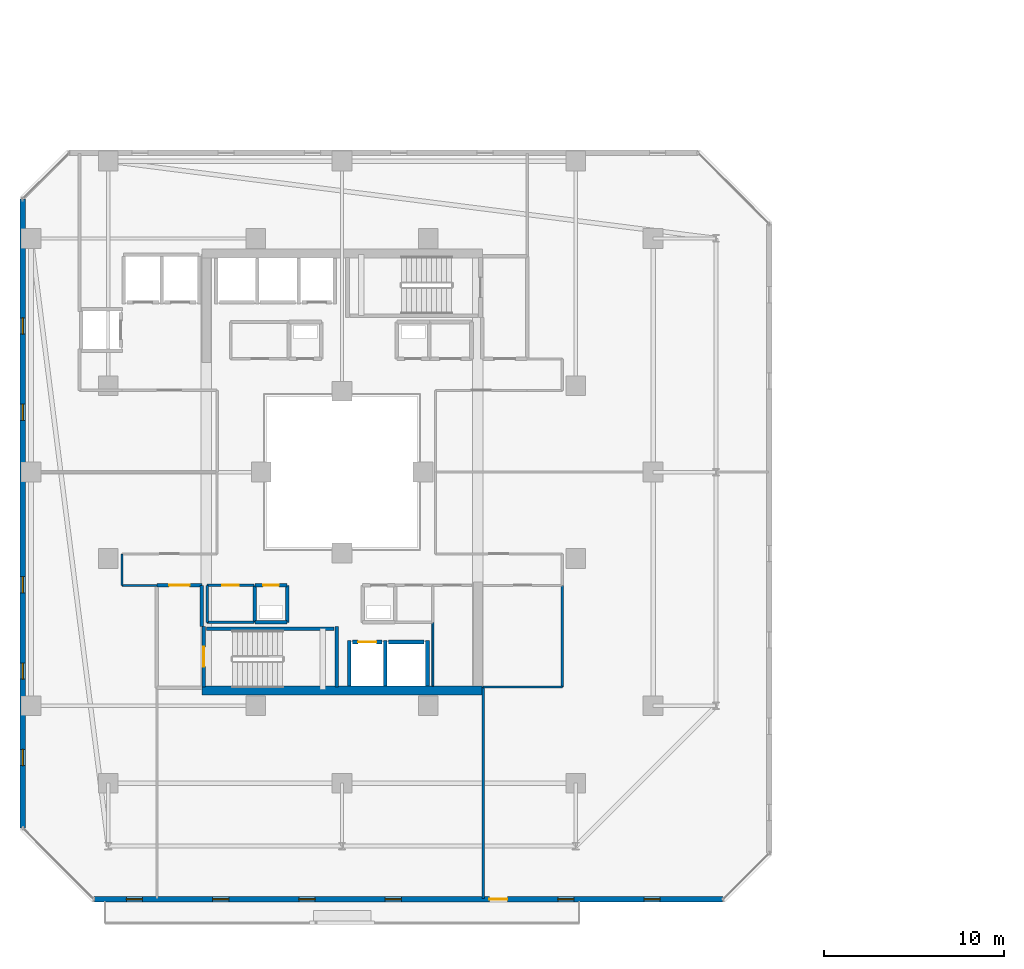
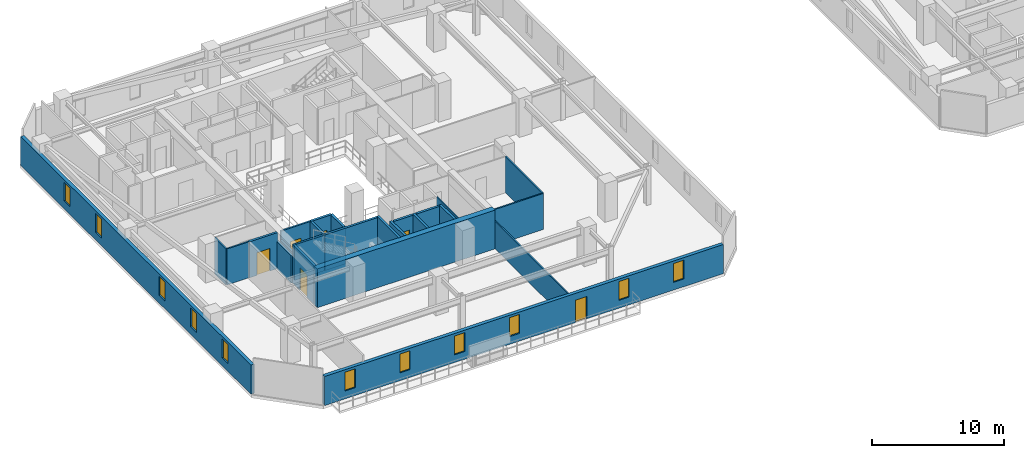
# One storey, part 19 of 32: 26 walls, 11 windows, 6 doors, 17 openings.
"""IFC4 building model written with IfcOpenShell, lengths in metres."""

from ifc_helpers import new_model, si_unit, direction, frame, frame_2d, origin, place, context, subcontext, project, spatial, rectangle, extrude, material, layer, layer_set, type_object, element, fill, save


model = new_model("IFC4")

# Units and contexts
model_context = context("Model", 3, precision=1e-05, world=origin(), true_north=direction((0.0, 1.0)))
body_context = subcontext(model_context, "Body", "Model", "MODEL_VIEW")
ifc_project = project(units=[si_unit("LENGTHUNIT", "METRE"), si_unit("AREAUNIT", "SQUARE_METRE"), si_unit("VOLUMEUNIT", "CUBIC_METRE"), si_unit("PLANEANGLEUNIT", "RADIAN"), si_unit("MASSUNIT", "GRAM", prefix="KILO")], contexts=[model_context])

# Site, building, storey
site_placement = place(None, origin())
site = spatial("IfcSite", under=ifc_project, at=site_placement, CompositionType="ELEMENT")
building_placement = place(site_placement, origin())
building = spatial("IfcBuilding", under=site, at=building_placement, Name="Thornwick Lancets Civic Towers", CompositionType="ELEMENT")
storey_placement = place(building_placement, frame((0.0, 0.0, 152.699951171875)))
storey = spatial("IfcBuildingStorey", under=building, at=storey_placement, Name="L40", CompositionType="ELEMENT", Elevation=152.699951171875)

# Wall, opening, door
ifc_material_1 = material(Name="Concrete blockwork C40/50", Category="masonry")
ifc_layer_1 = layer(ifc_material_1, 0.199951171875, Name="Concrete blockwork C40/50")
ifc_layer_set_1 = layer_set([ifc_layer_1], Name="Concrete blockwork C40/50")
wall_type_1 = type_object("IfcWallType", Name="WALL_COMP_200", PredefinedType="STANDARD", material=ifc_layer_set_1)
wall_1_placement = place(storey_placement, frame((26.080078125, 17.550048828125, 0.0), z_axis=(0.0, 0.0, 1.0), x_axis=(1.0, 0.0, 0.0)))
wall_1 = element("IfcWall", 1, at=wall_1_placement, inside=storey, type_object=wall_type_1, Name="L40 Hoistway Front Wall FL-A1", PredefinedType="STANDARD", context=body_context, shape_type="SweptSolid", body=[
    extrude(rectangle(XDim=1.639892578125, YDim=0.199951171875, at=frame_2d((0.81982421875, 0.0))), origin(), (0.0, 0.0, 1.0), 3.340087890625),
])
opening_1_placement = place(wall_1_placement, frame((0.31005859375, 0.0, 0.0)))
opening_1 = element("IfcOpeningElement", 2, at=opening_1_placement, cuts=wall_1, Name="Opening LD-FL-A1", PredefinedType="OPENING", context=body_context, shape_type="SweptSolid", body=[
    extrude(rectangle(XDim=1.02001953125, YDim=2.06005859375, at=frame_2d((0.510009765625, 1.030029296875))), frame((0.0, 0.10986328125, 0.0), z_axis=(0.0, -1.0, 0.0), x_axis=(1.0, 0.0, 0.0)), (0.0, 0.0, 1.0), 0.219970703125),
])
ifc_material_2 = material(Name="Brushed bronze stainless steel", Category="steel")
door_type_1 = type_object("IfcDoorType", Name="DOOR_LIFT_SLIDE", OperationType="SLIDING_TO_LEFT", PredefinedType="DOOR", material=ifc_material_2)
door_1_placement = place(opening_1_placement, origin())
door_1 = element("IfcDoor", 3, at=door_1_placement, inside=storey, type_object=door_type_1, Name="L40 Sliding Lift Landing Door LD-FL-A1", OperationType="SLIDING_TO_LEFT", OverallHeight=2.06005859375, OverallWidth=1.02001953125, PredefinedType="DOOR", context=body_context, shape_type="SweptSolid", body=[
    extrude(rectangle(XDim=1.02001953125, YDim=2.06005859375, at=frame_2d((0.510009765625, 1.030029296875))), frame((0.0, 0.02490234375, 0.0), z_axis=(0.0, -1.0, 0.0), x_axis=(1.0, 0.0, 0.0)), (0.0, 0.0, 1.0), 0.050048828125),
])
fill(opening_1, door_1)

# Walls
wall_2_placement = place(storey_placement, frame((28.080078125, 17.550048828125, 0.0), z_axis=(0.0, 0.0, 1.0), x_axis=(1.0, 0.0, 0.0)))
element("IfcWall", 4, at=wall_2_placement, inside=storey, type_object=wall_type_1, Name="L40 Hoistway Front Wall PL-AH1", PredefinedType="STANDARD", context=body_context, shape_type="SweptSolid", body=[
    extrude(rectangle(XDim=1.989990234375, YDim=0.199951171875, at=frame_2d((0.9951171875, 0.0))), origin(), (0.0, 0.0, 1.0), 3.340087890625),
])
for number, where, z_axis, x_axis, name in (
    (5, (27.89990234375, 15.112060546875, 0.0), (0.0, 0.0, 1.0), (0.0, 1.0, 0.0), "L40 Hoistway Shaft Wall FL-A1 E"),
    (6, (25.89990234375, 15.112060546875, 0.0), (0.0, 0.0, 1.0), (0.0, 1.0, 0.0), "L40 Hoistway Shaft Wall FL-A1 W"),
    (7, (30.25, 15.112060546875, 0.0), (0.0, 0.0, 1.0), (0.0, 1.0, 0.0), "L40 Hoistway Shaft Wall PL-AH1 E"),
):
    element("IfcWall", number, at=place(storey_placement, frame(where, z_axis=z_axis, x_axis=x_axis)), inside=storey, type_object=wall_type_1, Name=name, PredefinedType="STANDARD", context=body_context, shape_type="SweptSolid", body=[
        extrude(rectangle(XDim=2.535888671875, YDim=0.199951171875, at=frame_2d((1.26806640625, 0.0))), origin(), (0.0, 0.0, 1.0), 3.340087890625),
    ])
wall_3_placement = place(storey_placement, frame((17.699951171875, 18.39990234375, 0.0), z_axis=(0.0, 0.0, 1.0), x_axis=(0.0, 1.0, 0.0)))
element("IfcWall", 8, at=wall_3_placement, inside=storey, type_object=wall_type_1, Name="L40 Partition L40-A-FFLOB1 E2", PredefinedType="STANDARD", context=body_context, shape_type="SweptSolid", body=[
    extrude(rectangle(XDim=2.300048828125, YDim=0.199951171875, at=frame_2d((1.14990234375, 0.0))), origin(), (0.0, 0.0, 1.0), 2.545166015625),
])

# Wall, opening, door
wall_4_placement = place(storey_placement, frame((17.699951171875, 20.699951171875, 0.0), z_axis=(0.0, 0.0, 1.0), x_axis=(-1.0, 0.0, 0.0)))
wall_4 = element("IfcWall", 9, at=wall_4_placement, inside=storey, type_object=wall_type_1, Name="L40 Partition L40-A-FFLOB1 E3", PredefinedType="STANDARD", context=body_context, shape_type="SweptSolid", body=[
    extrude(rectangle(XDim=2.5, YDim=0.199951171875, at=frame_2d((1.25, 0.0))), origin(), (0.0, 0.0, 1.0), 3.340087890625),
])
opening_2_placement = place(wall_4_placement, frame((0.675048828125, 0.0, 0.0)))
opening_2 = element("IfcOpeningElement", 10, at=opening_2_placement, cuts=wall_4, Name="Opening D-L40-1793", PredefinedType="OPENING", context=body_context, shape_type="SweptSolid", body=[
    extrude(rectangle(XDim=1.14990234375, YDim=2.10009765625, at=frame_2d((0.574951171875, 1.050048828125))), frame((0.0, 0.10986328125, 0.0), z_axis=(0.0, -1.0, 0.0), x_axis=(1.0, 0.0, 0.0)), (0.0, 0.0, 1.0), 0.219970703125),
])
ifc_material_3 = material(Name="Glazed fire-resisting steel", Category="steel")
door_type_2 = type_object("IfcDoorType", Name="DOOR_LOBBY_FD60", OperationType="NOTDEFINED", PredefinedType="DOOR", material=ifc_material_3)
door_2_placement = place(opening_2_placement, origin())
door_2 = element("IfcDoor", 11, at=door_2_placement, inside=storey, type_object=door_type_2, Name="L40 South Firefighting Lobby 1 Door", OperationType="SINGLE_SWING_RIGHT", OverallHeight=2.10009765625, OverallWidth=1.14990234375, PredefinedType="DOOR", context=body_context, shape_type="SweptSolid", body=[
    extrude(rectangle(XDim=1.14990234375, YDim=2.10009765625, at=frame_2d((0.574951171875, 1.050048828125))), frame((0.0, 0.02490234375, 0.0), z_axis=(0.0, -1.0, 0.0), x_axis=(1.0, 0.0, 0.0)), (0.0, 0.0, 1.0), 0.050048828125),
])
fill(opening_2, door_2)

# Walls
wall_5_placement = place(storey_placement, frame((20.64990234375, 18.64990234375, 0.0), z_axis=(0.0, 0.0, 1.0), x_axis=(1.0, 0.0, 0.0)))
element("IfcWall", 12, at=wall_5_placement, inside=storey, type_object=wall_type_1, Name="L40 Partition L40-A-RISER1 E1", PredefinedType="STANDARD", context=body_context, shape_type="SweptSolid", body=[
    extrude(rectangle(XDim=1.800048828125, YDim=0.199951171875, at=frame_2d((0.89990234375, 0.0))), origin(), (0.0, 0.0, 1.0), 3.340087890625),
])
wall_6_placement = place(storey_placement, frame((22.449951171875, 18.64990234375, 0.0), z_axis=(0.0, 0.0, 1.0), x_axis=(0.0, 1.0, 0.0)))
element("IfcWall", 13, at=wall_6_placement, inside=storey, type_object=wall_type_1, Name="L40 Partition L40-A-RISER1 E2", PredefinedType="STANDARD", context=body_context, shape_type="SweptSolid", body=[
    extrude(rectangle(XDim=2.050048828125, YDim=0.199951171875, at=frame_2d((1.02490234375, 0.0))), origin(), (0.0, 0.0, 1.0), 3.340087890625),
])

# Wall, opening, door
wall_7_placement = place(storey_placement, frame((22.449951171875, 20.699951171875, 0.0), z_axis=(0.0, 0.0, 1.0), x_axis=(-1.0, 0.0, 0.0)))
wall_7 = element("IfcWall", 14, at=wall_7_placement, inside=storey, type_object=wall_type_1, Name="L40 Partition L40-A-RISER1 E3", PredefinedType="STANDARD", context=body_context, shape_type="SweptSolid", body=[
    extrude(rectangle(XDim=1.800048828125, YDim=0.199951171875, at=frame_2d((0.89990234375, 0.0))), origin(), (0.0, 0.0, 1.0), 3.340087890625),
])
opening_3_placement = place(wall_7_placement, frame((0.4599609375, 0.0, 0.0)))
opening_3 = element("IfcOpeningElement", 15, at=opening_3_placement, cuts=wall_7, Name="Opening D-L40-1796", PredefinedType="OPENING", context=body_context, shape_type="SweptSolid", body=[
    extrude(rectangle(XDim=0.8798828125, YDim=2.0400390625, at=frame_2d((0.43994140625, 1.02001953125))), frame((0.0, 0.10986328125, 0.0), z_axis=(0.0, -1.0, 0.0), x_axis=(1.0, 0.0, 0.0)), (0.0, 0.0, 1.0), 0.219970703125),
])
ifc_material_4 = material(Name="Steel riser access doorset", Category="steel")
door_type_3 = type_object("IfcDoorType", Name="DOOR_RISER_850", OperationType="NOTDEFINED", PredefinedType="DOOR", material=ifc_material_4)
door_3_placement = place(opening_3_placement, origin())
door_3 = element("IfcDoor", 16, at=door_3_placement, inside=storey, type_object=door_type_3, Name="L40 South Electrical Riser 1 Door", OperationType="SINGLE_SWING_LEFT", OverallHeight=2.0400390625, OverallWidth=0.8798828125, PredefinedType="DOOR", context=body_context, shape_type="SweptSolid", body=[
    extrude(rectangle(XDim=0.8798828125, YDim=2.0400390625, at=frame_2d((0.43994140625, 1.02001953125))), frame((0.0, 0.02490234375, 0.0), z_axis=(0.0, -1.0, 0.0), x_axis=(1.0, 0.0, 0.0)), (0.0, 0.0, 1.0), 0.050048828125),
])
fill(opening_3, door_3)

# Walls
wall_8_placement = place(storey_placement, frame((20.64990234375, 20.699951171875, 0.0), z_axis=(0.0, 0.0, 1.0), x_axis=(0.0, -1.0, 0.0)))
element("IfcWall", 17, at=wall_8_placement, inside=storey, type_object=wall_type_1, Name="L40 Partition L40-A-RISER1 E4", PredefinedType="STANDARD", context=body_context, shape_type="SweptSolid", body=[
    extrude(rectangle(XDim=2.050048828125, YDim=0.199951171875, at=frame_2d((1.02490234375, 0.0))), origin(), (0.0, 0.0, 1.0), 3.340087890625),
])
ifc_material_5 = material(Name="Concrete C50/60", Category="concrete")
ifc_layer_2 = layer(ifc_material_5, 0.5, Name="Concrete C50/60")
ifc_layer_set_2 = layer_set([ifc_layer_2], Name="Concrete C50/60")
wall_type_2 = type_object("IfcWallType", Name="WALL_CORE_500", PredefinedType="SHEAR", material=ifc_layer_set_2)
wall_9_placement = place(storey_placement, frame((17.699951171875, 14.85009765625, 0.0), z_axis=(0.0, 0.0, 1.0), x_axis=(1.0, 0.0, 0.0)))
element("IfcWall", 18, at=wall_9_placement, inside=storey, type_object=wall_type_2, Name="L40 Split Core A1 Shear Wall S", PredefinedType="SHEAR", context=body_context, shape_type="SweptSolid", body=[
    extrude(rectangle(XDim=15.60009765625, YDim=0.5, at=frame_2d((7.800048828125, 0.0))), origin(), (0.0, 0.0, 1.0), 3.60009765625),
])

# Wall, openings, door, windows
ifc_material_6 = material(Name="Insulated russet terracotta rainscreen on concrete C40/50", Category="masonry")
ifc_layer_3 = layer(ifc_material_6, 0.300048828125, Name="Insulated russet terracotta rainscreen on concrete C40/50")
ifc_layer_set_3 = layer_set([ifc_layer_3], Name="Insulated russet terracotta rainscreen on concrete C40/50")
wall_type_3 = type_object("IfcWallType", Name="WALL_EXT_RUSSET_300", PredefinedType="STANDARD", material=ifc_layer_set_3)
wall_10_placement = place(storey_placement, frame((11.6982421875, 3.239990234375, 0.0), z_axis=(0.0, 0.0, 1.0), x_axis=(0.999999991209, -0.000132597301, 0.0)))
wall_10 = element("IfcWall", 19, at=wall_10_placement, inside=storey, type_object=wall_type_3, Name="L40 Tower A Terracotta Facade Wall E0", PredefinedType="STANDARD", context=body_context, shape_type="SweptSolid", body=[
    extrude(rectangle(XDim=34.983154296875, YDim=0.300048828125, at=frame_2d((17.49169921875, 0.0))), origin(), (0.0, 0.0, 1.0), 2.699951171875),
])
opening_4_placement = place(wall_10_placement, frame((21.99169921875, 0.0, 0.0)))
opening_4 = element("IfcOpeningElement", 20, at=opening_4_placement, cuts=wall_10, Name="Opening D-BL-L40-AS", PredefinedType="OPENING", context=body_context, shape_type="SweptSolid", body=[
    extrude(rectangle(XDim=1.0, YDim=2.080078125, at=frame_2d((0.5, 1.0400390625))), frame((0.0, 0.16015625, 0.0), z_axis=(0.0, -1.0, 0.0), x_axis=(1.0, 0.0, 0.0)), (0.0, 0.0, 1.0), 0.320068359375),
])
opening_5_placement = place(wall_10_placement, frame((1.800048828125, 0.0, 0.719970703125)))
opening_5 = element("IfcOpeningElement", 21, at=opening_5_placement, cuts=wall_10, Name="Opening WL-01", PredefinedType="OPENING", context=body_context, shape_type="SweptSolid", body=[
    extrude(rectangle(XDim=0.89990234375, YDim=1.75, at=frame_2d((0.449951171875, 0.875))), frame((0.0, 0.16015625, 0.0), z_axis=(0.0, -1.0, 0.0), x_axis=(1.0, 0.0, 0.0)), (0.0, 0.0, 1.0), 0.320068359375),
])
opening_6_placement = place(wall_10_placement, frame((6.60009765625, 0.0, 0.719970703125)))
opening_6 = element("IfcOpeningElement", 22, at=opening_6_placement, cuts=wall_10, Name="Opening WL-01", PredefinedType="OPENING", context=body_context, shape_type="SweptSolid", body=[
    extrude(rectangle(XDim=0.89990234375, YDim=1.75, at=frame_2d((0.449951171875, 0.875))), frame((0.0, 0.16015625, 0.0), z_axis=(0.0, -1.0, 0.0), x_axis=(1.0, 0.0, 0.0)), (0.0, 0.0, 1.0), 0.320068359375),
])
opening_7_placement = place(wall_10_placement, frame((11.39990234375, 0.0, 0.719970703125)))
opening_7 = element("IfcOpeningElement", 23, at=opening_7_placement, cuts=wall_10, Name="Opening WL-01", PredefinedType="OPENING", context=body_context, shape_type="SweptSolid", body=[
    extrude(rectangle(XDim=0.89990234375, YDim=1.75, at=frame_2d((0.449951171875, 0.875))), frame((0.0, 0.16015625, 0.0), z_axis=(0.0, -1.0, 0.0), x_axis=(1.0, 0.0, 0.0)), (0.0, 0.0, 1.0), 0.320068359375),
])
opening_8_placement = place(wall_10_placement, frame((16.199951171875, 0.0, 0.719970703125)))
opening_8 = element("IfcOpeningElement", 24, at=opening_8_placement, cuts=wall_10, Name="Opening WL-01", PredefinedType="OPENING", context=body_context, shape_type="SweptSolid", body=[
    extrude(rectangle(XDim=0.89990234375, YDim=1.75, at=frame_2d((0.449951171875, 0.875))), frame((0.0, 0.16015625, 0.0), z_axis=(0.0, -1.0, 0.0), x_axis=(1.0, 0.0, 0.0)), (0.0, 0.0, 1.0), 0.320068359375),
])
opening_9_placement = place(wall_10_placement, frame((25.800048828125, 0.0, 0.719970703125)))
opening_9 = element("IfcOpeningElement", 25, at=opening_9_placement, cuts=wall_10, Name="Opening WL-01", PredefinedType="OPENING", context=body_context, shape_type="SweptSolid", body=[
    extrude(rectangle(XDim=0.89990234375, YDim=1.75, at=frame_2d((0.449951171875, 0.875))), frame((0.0, 0.16015625, 0.0), z_axis=(0.0, -1.0, 0.0), x_axis=(1.0, 0.0, 0.0)), (0.0, 0.0, 1.0), 0.320068359375),
])
opening_10_placement = place(wall_10_placement, frame((30.60009765625, 0.0, 0.719970703125)))
opening_10 = element("IfcOpeningElement", 26, at=opening_10_placement, cuts=wall_10, Name="Opening WL-01", PredefinedType="OPENING", context=body_context, shape_type="SweptSolid", body=[
    extrude(rectangle(XDim=0.89990234375, YDim=1.75, at=frame_2d((0.449951171875, 0.875))), frame((0.0, 0.16015625, 0.0), z_axis=(0.0, -1.0, 0.0), x_axis=(1.0, 0.0, 0.0)), (0.0, 0.0, 1.0), 0.320068359375),
])
ifc_material_7 = material(Name="Thermally broken glazed loggia doorset")
door_type_4 = type_object("IfcDoorType", Name="DOOR_BALC_1000", OperationType="NOTDEFINED", PredefinedType="DOOR", material=ifc_material_7)
door_4_placement = place(opening_4_placement, origin())
door_4 = element("IfcDoor", 27, at=door_4_placement, inside=storey, type_object=door_type_4, Name="L40 Tower A Loggia Balcony Door S", OperationType="SINGLE_SWING_LEFT", OverallHeight=2.080078125, OverallWidth=1.0, PredefinedType="DOOR", context=body_context, shape_type="SweptSolid", body=[
    extrude(rectangle(XDim=1.0, YDim=2.080078125, at=frame_2d((0.5, 1.0400390625))), frame((0.0, 0.02490234375, 0.0), z_axis=(0.0, -1.0, 0.0), x_axis=(1.0, 0.0, 0.0)), (0.0, 0.0, 1.0), 0.050048828125),
])
fill(opening_4, door_4)
ifc_material_8 = material(Name="Clear low-e double glazing in bronze frame", Category="glass")
window_type = type_object("IfcWindowType", Name="WIN_LANCET_900", PartitioningType="SINGLE_PANEL", PredefinedType="WINDOW", material=ifc_material_8)
window_1_placement = place(opening_5_placement, origin())
window_1 = element("IfcWindow", 28, at=window_1_placement, inside=storey, type_object=window_type, Name="L40 Tower A Staggered Lancet Window E0-1", OverallHeight=1.75, OverallWidth=0.89990234375, PartitioningType="SINGLE_PANEL", PredefinedType="WINDOW", context=body_context, shape_type="SweptSolid", body=[
    extrude(rectangle(XDim=0.89990234375, YDim=1.75, at=frame_2d((0.449951171875, 0.875))), frame((0.0, 0.030029296875, 0.0), z_axis=(0.0, -1.0, 0.0), x_axis=(1.0, 0.0, 0.0)), (0.0, 0.0, 1.0), 0.06005859375),
])
fill(opening_5, window_1)
window_2_placement = place(opening_6_placement, origin())
window_2 = element("IfcWindow", 29, at=window_2_placement, inside=storey, type_object=window_type, Name="L40 Tower A Staggered Lancet Window E0-2", OverallHeight=1.75, OverallWidth=0.89990234375, PartitioningType="SINGLE_PANEL", PredefinedType="WINDOW", context=body_context, shape_type="SweptSolid", body=[
    extrude(rectangle(XDim=0.89990234375, YDim=1.75, at=frame_2d((0.449951171875, 0.875))), frame((0.0, 0.030029296875, 0.0), z_axis=(0.0, -1.0, 0.0), x_axis=(1.0, 0.0, 0.0)), (0.0, 0.0, 1.0), 0.06005859375),
])
fill(opening_6, window_2)
window_3_placement = place(opening_7_placement, origin())
window_3 = element("IfcWindow", 30, at=window_3_placement, inside=storey, type_object=window_type, Name="L40 Tower A Staggered Lancet Window E0-3", OverallHeight=1.75, OverallWidth=0.89990234375, PartitioningType="SINGLE_PANEL", PredefinedType="WINDOW", context=body_context, shape_type="SweptSolid", body=[
    extrude(rectangle(XDim=0.89990234375, YDim=1.75, at=frame_2d((0.449951171875, 0.875))), frame((0.0, 0.030029296875, 0.0), z_axis=(0.0, -1.0, 0.0), x_axis=(1.0, 0.0, 0.0)), (0.0, 0.0, 1.0), 0.06005859375),
])
fill(opening_7, window_3)
window_4_placement = place(opening_8_placement, origin())
window_4 = element("IfcWindow", 31, at=window_4_placement, inside=storey, type_object=window_type, Name="L40 Tower A Staggered Lancet Window E0-4", OverallHeight=1.75, OverallWidth=0.89990234375, PartitioningType="SINGLE_PANEL", PredefinedType="WINDOW", context=body_context, shape_type="SweptSolid", body=[
    extrude(rectangle(XDim=0.89990234375, YDim=1.75, at=frame_2d((0.449951171875, 0.875))), frame((0.0, 0.030029296875, 0.0), z_axis=(0.0, -1.0, 0.0), x_axis=(1.0, 0.0, 0.0)), (0.0, 0.0, 1.0), 0.06005859375),
])
fill(opening_8, window_4)
window_5_placement = place(opening_9_placement, origin())
window_5 = element("IfcWindow", 32, at=window_5_placement, inside=storey, type_object=window_type, Name="L40 Tower A Staggered Lancet Window E0-5", OverallHeight=1.75, OverallWidth=0.89990234375, PartitioningType="SINGLE_PANEL", PredefinedType="WINDOW", context=body_context, shape_type="SweptSolid", body=[
    extrude(rectangle(XDim=0.89990234375, YDim=1.75, at=frame_2d((0.449951171875, 0.875))), frame((0.0, 0.030029296875, 0.0), z_axis=(0.0, -1.0, 0.0), x_axis=(1.0, 0.0, 0.0)), (0.0, 0.0, 1.0), 0.06005859375),
])
fill(opening_9, window_5)
window_6_placement = place(opening_10_placement, origin())
window_6 = element("IfcWindow", 33, at=window_6_placement, inside=storey, type_object=window_type, Name="L40 Tower A Staggered Lancet Window E0-6", OverallHeight=1.75, OverallWidth=0.89990234375, PartitioningType="SINGLE_PANEL", PredefinedType="WINDOW", context=body_context, shape_type="SweptSolid", body=[
    extrude(rectangle(XDim=0.89990234375, YDim=1.75, at=frame_2d((0.449951171875, 0.875))), frame((0.0, 0.030029296875, 0.0), z_axis=(0.0, -1.0, 0.0), x_axis=(1.0, 0.0, 0.0)), (0.0, 0.0, 1.0), 0.06005859375),
])
fill(opening_10, window_6)

# Wall, openings, windows
wall_11_placement = place(storey_placement, frame((7.7353515625, 42.181396484375, 0.0), z_axis=(0.0, 0.0, 1.0), x_axis=(0.000132597301, -0.999999991209, 0.0)))
wall_11 = element("IfcWall", 34, at=wall_11_placement, inside=storey, type_object=wall_type_3, Name="L40 Tower A Terracotta Facade Wall E6", PredefinedType="STANDARD", context=body_context, shape_type="SweptSolid", body=[
    extrude(rectangle(XDim=34.983154296875, YDim=0.300048828125, at=frame_2d((17.49169921875, 0.0))), origin(), (0.0, 0.0, 1.0), 2.699951171875),
])
opening_11_placement = place(wall_11_placement, frame((6.60009765625, 0.0, 0.719970703125)))
opening_11 = element("IfcOpeningElement", 35, at=opening_11_placement, cuts=wall_11, Name="Opening WL-01", PredefinedType="OPENING", context=body_context, shape_type="SweptSolid", body=[
    extrude(rectangle(XDim=0.89990234375, YDim=1.75, at=frame_2d((0.449951171875, 0.875))), frame((0.0, 0.16015625, 0.0), z_axis=(0.0, -1.0, 0.0), x_axis=(1.0, 0.0, 0.0)), (0.0, 0.0, 1.0), 0.320068359375),
])
opening_12_placement = place(wall_11_placement, frame((11.39990234375, 0.0, 0.719970703125)))
opening_12 = element("IfcOpeningElement", 36, at=opening_12_placement, cuts=wall_11, Name="Opening WL-01", PredefinedType="OPENING", context=body_context, shape_type="SweptSolid", body=[
    extrude(rectangle(XDim=0.89990234375, YDim=1.75, at=frame_2d((0.449951171875, 0.875))), frame((0.0, 0.16015625, 0.0), z_axis=(0.0, -1.0, 0.0), x_axis=(1.0, 0.0, 0.0)), (0.0, 0.0, 1.0), 0.320068359375),
])
opening_13_placement = place(wall_11_placement, frame((21.0, 0.0, 0.719970703125)))
opening_13 = element("IfcOpeningElement", 37, at=opening_13_placement, cuts=wall_11, Name="Opening WL-01", PredefinedType="OPENING", context=body_context, shape_type="SweptSolid", body=[
    extrude(rectangle(XDim=0.89990234375, YDim=1.75, at=frame_2d((0.449951171875, 0.875))), frame((0.0, 0.16015625, 0.0), z_axis=(0.0, -1.0, 0.0), x_axis=(1.0, 0.0, 0.0)), (0.0, 0.0, 1.0), 0.320068359375),
])
opening_14_placement = place(wall_11_placement, frame((25.800048828125, 0.0, 0.719970703125)))
opening_14 = element("IfcOpeningElement", 38, at=opening_14_placement, cuts=wall_11, Name="Opening WL-01", PredefinedType="OPENING", context=body_context, shape_type="SweptSolid", body=[
    extrude(rectangle(XDim=0.89990234375, YDim=1.75, at=frame_2d((0.449951171875, 0.875))), frame((0.0, 0.16015625, 0.0), z_axis=(0.0, -1.0, 0.0), x_axis=(1.0, 0.0, 0.0)), (0.0, 0.0, 1.0), 0.320068359375),
])
opening_15_placement = place(wall_11_placement, frame((30.60009765625, 0.0, 0.719970703125)))
opening_15 = element("IfcOpeningElement", 39, at=opening_15_placement, cuts=wall_11, Name="Opening WL-01", PredefinedType="OPENING", context=body_context, shape_type="SweptSolid", body=[
    extrude(rectangle(XDim=0.89990234375, YDim=1.75, at=frame_2d((0.449951171875, 0.875))), frame((0.0, 0.16015625, 0.0), z_axis=(0.0, -1.0, 0.0), x_axis=(1.0, 0.0, 0.0)), (0.0, 0.0, 1.0), 0.320068359375),
])
window_7_placement = place(opening_11_placement, origin())
window_7 = element("IfcWindow", 40, at=window_7_placement, inside=storey, type_object=window_type, Name="L40 Tower A Staggered Lancet Window E6-1", OverallHeight=1.75, OverallWidth=0.89990234375, PartitioningType="SINGLE_PANEL", PredefinedType="WINDOW", context=body_context, shape_type="SweptSolid", body=[
    extrude(rectangle(XDim=0.89990234375, YDim=1.75, at=frame_2d((0.449951171875, 0.875))), frame((0.0, 0.030029296875, 0.0), z_axis=(0.0, -1.0, 0.0), x_axis=(1.0, 0.0, 0.0)), (0.0, 0.0, 1.0), 0.06005859375),
])
fill(opening_11, window_7)
window_8_placement = place(opening_12_placement, origin())
window_8 = element("IfcWindow", 41, at=window_8_placement, inside=storey, type_object=window_type, Name="L40 Tower A Staggered Lancet Window E6-2", OverallHeight=1.75, OverallWidth=0.89990234375, PartitioningType="SINGLE_PANEL", PredefinedType="WINDOW", context=body_context, shape_type="SweptSolid", body=[
    extrude(rectangle(XDim=0.89990234375, YDim=1.75, at=frame_2d((0.449951171875, 0.875))), frame((0.0, 0.030029296875, 0.0), z_axis=(0.0, -1.0, 0.0), x_axis=(1.0, 0.0, 0.0)), (0.0, 0.0, 1.0), 0.06005859375),
])
fill(opening_12, window_8)
window_9_placement = place(opening_13_placement, origin())
window_9 = element("IfcWindow", 42, at=window_9_placement, inside=storey, type_object=window_type, Name="L40 Tower A Staggered Lancet Window E6-3", OverallHeight=1.75, OverallWidth=0.89990234375, PartitioningType="SINGLE_PANEL", PredefinedType="WINDOW", context=body_context, shape_type="SweptSolid", body=[
    extrude(rectangle(XDim=0.89990234375, YDim=1.75, at=frame_2d((0.449951171875, 0.875))), frame((0.0, 0.030029296875, 0.0), z_axis=(0.0, -1.0, 0.0), x_axis=(1.0, 0.0, 0.0)), (0.0, 0.0, 1.0), 0.06005859375),
])
fill(opening_13, window_9)
window_10_placement = place(opening_14_placement, origin())
window_10 = element("IfcWindow", 43, at=window_10_placement, inside=storey, type_object=window_type, Name="L40 Tower A Staggered Lancet Window E6-4", OverallHeight=1.75, OverallWidth=0.89990234375, PartitioningType="SINGLE_PANEL", PredefinedType="WINDOW", context=body_context, shape_type="SweptSolid", body=[
    extrude(rectangle(XDim=0.89990234375, YDim=1.75, at=frame_2d((0.449951171875, 0.875))), frame((0.0, 0.030029296875, 0.0), z_axis=(0.0, -1.0, 0.0), x_axis=(1.0, 0.0, 0.0)), (0.0, 0.0, 1.0), 0.06005859375),
])
fill(opening_14, window_10)
window_11_placement = place(opening_15_placement, origin())
window_11 = element("IfcWindow", 44, at=window_11_placement, inside=storey, type_object=window_type, Name="L40 Tower A Staggered Lancet Window E6-5", OverallHeight=1.75, OverallWidth=0.89990234375, PartitioningType="SINGLE_PANEL", PredefinedType="WINDOW", context=body_context, shape_type="SweptSolid", body=[
    extrude(rectangle(XDim=0.89990234375, YDim=1.75, at=frame_2d((0.449951171875, 0.875))), frame((0.0, 0.030029296875, 0.0), z_axis=(0.0, -1.0, 0.0), x_axis=(1.0, 0.0, 0.0)), (0.0, 0.0, 1.0), 0.06005859375),
])
fill(opening_15, window_11)

# Walls
ifc_material_9 = material(Name="Lightweight cellular office partition")
ifc_layer_4 = layer(ifc_material_9, 0.10009765625, Name="Lightweight cellular office partition")
ifc_layer_set_4 = layer_set([ifc_layer_4], Name="Lightweight cellular office partition")
wall_type_4 = type_object("IfcWallType", Name="WALL_PART_100", PredefinedType="PARTITIONING", material=ifc_layer_set_4)
wall_12_placement = place(storey_placement, frame((30.550048828125, 15.10009765625, 0.0), z_axis=(0.0, 0.0, 1.0), x_axis=(0.0, 1.0, 0.0)))
element("IfcWall", 45, at=wall_12_placement, inside=storey, type_object=wall_type_4, Name="L40 Partition L40-A-CLN E3", PredefinedType="PARTITIONING", context=body_context, shape_type="SweptSolid", body=[
    extrude(rectangle(XDim=3.5498046875, YDim=0.10009765625, at=frame_2d((1.77490234375, 0.0))), origin(), (0.0, 0.0, 1.0), 3.340087890625),
])
ifc_material_10 = material(Name="Acoustic gypsum board partition")
ifc_layer_5 = layer(ifc_material_10, 0.1201171875, Name="Acoustic gypsum board partition")
ifc_layer_set_5 = layer_set([ifc_layer_5], Name="Acoustic gypsum board partition")
wall_type_5 = type_object("IfcWallType", Name="WALL_PART_120", PredefinedType="PARTITIONING", material=ifc_layer_set_5)
wall_13_placement = place(storey_placement, frame((37.75, 15.050048828125, 0.0), z_axis=(0.0, 0.0, 1.0), x_axis=(-1.0, 0.0, 0.0)))
element("IfcWall", 46, at=wall_13_placement, inside=storey, type_object=wall_type_5, Name="L40 Partition L40-A-RECLAIM-L1 E1", PredefinedType="PARTITIONING", context=body_context, shape_type="SweptSolid", body=[
    extrude(rectangle(XDim=4.39990234375, YDim=0.1201171875, at=frame_2d((2.199951171875, 0.0))), origin(), (0.0, 0.0, 1.0), 3.340087890625),
])
wall_14_placement = place(storey_placement, frame((37.75, 20.699951171875, 0.0), z_axis=(0.0, 0.0, 1.0), x_axis=(0.0, -1.0, 0.0)))
element("IfcWall", 47, at=wall_14_placement, inside=storey, type_object=wall_type_5, Name="L40 Partition L40-A-RECLAIM-L1 E4", PredefinedType="PARTITIONING", context=body_context, shape_type="SweptSolid", body=[
    extrude(rectangle(XDim=5.64990234375, YDim=0.1201171875, at=frame_2d((2.824951171875, 0.0))), origin(), (0.0, 0.0, 1.0), 3.340087890625),
])
wall_15_placement = place(storey_placement, frame((13.25, 22.449951171875, 0.0), z_axis=(0.0, 0.0, 1.0), x_axis=(0.0, -1.0, 0.0)))
element("IfcWall", 48, at=wall_15_placement, inside=storey, type_object=wall_type_5, Name="L40 Partition L40-A-W1 E3", PredefinedType="PARTITIONING", context=body_context, shape_type="SweptSolid", body=[
    extrude(rectangle(XDim=1.75, YDim=0.1201171875, at=frame_2d((0.875, 0.0))), origin(), (0.0, 0.0, 1.0), 3.340087890625),
])
wall_16_placement = place(storey_placement, frame((13.25, 20.699951171875, 0.0), z_axis=(0.0, 0.0, 1.0), x_axis=(1.0, 0.0, 0.0)))
element("IfcWall", 49, at=wall_16_placement, inside=storey, type_object=wall_type_5, Name="L40 Partition L40-A-W1 E4", PredefinedType="PARTITIONING", context=body_context, shape_type="SweptSolid", body=[
    extrude(rectangle(XDim=1.949951171875, YDim=0.1201171875, at=frame_2d((0.97509765625, 0.0))), origin(), (0.0, 0.0, 1.0), 3.340087890625),
])
wall_17_placement = place(storey_placement, frame((33.35009765625, 3.280029296875, 0.0), z_axis=(0.0, 0.0, 1.0), x_axis=(0.0, 1.0, 0.0)))
element("IfcWall", 50, at=wall_17_placement, inside=storey, type_object=wall_type_5, Name="L40 Partition L40-A-E1 E2", PredefinedType="PARTITIONING", context=body_context, shape_type="SweptSolid", body=[
    extrude(rectangle(XDim=11.77001953125, YDim=0.1201171875, at=frame_2d((5.885009765625, 0.0))), origin(), (0.0, 0.0, 1.0), 2.545166015625),
])
ifc_material_11 = material(Name="Twin-stud acoustic gypsum board")
ifc_layer_6 = layer(ifc_material_11, 0.14990234375, Name="Twin-stud acoustic gypsum board")
ifc_layer_set_6 = layer_set([ifc_layer_6], Name="Twin-stud acoustic gypsum board")
wall_type_6 = type_object("IfcWallType", Name="WALL_PART_150", PredefinedType="PARTITIONING", material=ifc_layer_set_6)
wall_18_placement = place(storey_placement, frame((18.0, 18.64990234375, 0.0), z_axis=(0.0, 0.0, 1.0), x_axis=(1.0, 0.0, 0.0)))
element("IfcWall", 51, at=wall_18_placement, inside=storey, type_object=wall_type_6, Name="L40 Partition L40-A-AWC E1", PredefinedType="PARTITIONING", context=body_context, shape_type="SweptSolid", body=[
    extrude(rectangle(XDim=2.60009765625, YDim=0.14990234375, at=frame_2d((1.300048828125, 0.0))), origin(), (0.0, 0.0, 1.0), 3.340087890625),
])

# Wall, opening, door
wall_19_placement = place(storey_placement, frame((20.60009765625, 20.699951171875, 0.0), z_axis=(0.0, 0.0, 1.0), x_axis=(-1.0, 0.0, 0.0)))
wall_19 = element("IfcWall", 52, at=wall_19_placement, inside=storey, type_object=wall_type_6, Name="L40 Partition L40-A-AWC E3", PredefinedType="PARTITIONING", context=body_context, shape_type="SweptSolid", body=[
    extrude(rectangle(XDim=2.60009765625, YDim=0.14990234375, at=frame_2d((1.300048828125, 0.0))), origin(), (0.0, 0.0, 1.0), 3.340087890625),
])
opening_16_placement = place(wall_19_placement, frame((0.840087890625, 0.0, 0.0)))
opening_16 = element("IfcOpeningElement", 53, at=opening_16_placement, cuts=wall_19, Name="Opening D-L40-1799", PredefinedType="OPENING", context=body_context, shape_type="SweptSolid", body=[
    extrude(rectangle(XDim=0.919921875, YDim=2.080078125, at=frame_2d((0.4599609375, 1.0400390625))), frame((0.0, 0.0849609375, 0.0), z_axis=(0.0, -1.0, 0.0), x_axis=(1.0, 0.0, 0.0)), (0.0, 0.0, 1.0), 0.169921875),
])
ifc_material_12 = material(Name="Moisture-resistant oak doorset")
door_type_5 = type_object("IfcDoorType", Name="DOOR_WC_900", OperationType="NOTDEFINED", PredefinedType="DOOR", material=ifc_material_12)
door_5_placement = place(opening_16_placement, origin())
door_5 = element("IfcDoor", 54, at=door_5_placement, inside=storey, type_object=door_type_5, Name="L40 Tower A Accessible WC Door", OperationType="SINGLE_SWING_RIGHT", OverallHeight=2.080078125, OverallWidth=0.919921875, PredefinedType="DOOR", context=body_context, shape_type="SweptSolid", body=[
    extrude(rectangle(XDim=0.919921875, YDim=2.080078125, at=frame_2d((0.4599609375, 1.0400390625))), frame((0.0, 0.02490234375, 0.0), z_axis=(0.0, -1.0, 0.0), x_axis=(1.0, 0.0, 0.0)), (0.0, 0.0, 1.0), 0.050048828125),
])
fill(opening_16, door_5)

# Wall
wall_20_placement = place(storey_placement, frame((18.0, 20.699951171875, 0.0), z_axis=(0.0, 0.0, 1.0), x_axis=(0.0, -1.0, 0.0)))
element("IfcWall", 55, at=wall_20_placement, inside=storey, type_object=wall_type_6, Name="L40 Partition L40-A-AWC E4", PredefinedType="PARTITIONING", context=body_context, shape_type="SweptSolid", body=[
    extrude(rectangle(XDim=2.050048828125, YDim=0.14990234375, at=frame_2d((1.02490234375, 0.0))), origin(), (0.0, 0.0, 1.0), 2.545166015625),
])

# Wall, opening, door
ifc_material_13 = material(Name="Concrete C40/50", Category="concrete")
ifc_layer_7 = layer(ifc_material_13, 0.199951171875, Name="Concrete C40/50")
ifc_layer_set_7 = layer_set([ifc_layer_7], Name="Concrete C40/50")
wall_type_7 = type_object("IfcWallType", Name="WALL_SHAFT_200", PredefinedType="SHEAR", material=ifc_layer_set_7)
wall_21_placement = place(storey_placement, frame((17.800048828125, 15.050048828125, 0.0), z_axis=(0.0, 0.0, 1.0), x_axis=(0.0, 1.0, 0.0)))
wall_21 = element("IfcWall", 56, at=wall_21_placement, inside=storey, type_object=wall_type_7, Name="L40 ST-A1 Fire Stair Core Wall NEAR", PredefinedType="SHEAR", context=body_context, shape_type="SweptSolid", body=[
    extrude(rectangle(XDim=3.349853515625, YDim=0.199951171875, at=frame_2d((1.6748046875, 0.0))), origin(), (0.0, 0.0, 1.0), 3.60009765625),
])
opening_17_placement = place(wall_21_placement, frame((1.125, 0.0, 0.0)))
opening_17 = element("IfcOpeningElement", 57, at=opening_17_placement, cuts=wall_21, Name="Opening D-ST-A1-L40", PredefinedType="OPENING", context=body_context, shape_type="SweptSolid", body=[
    extrude(rectangle(XDim=1.10009765625, YDim=2.10009765625, at=frame_2d((0.550048828125, 1.050048828125))), frame((0.0, 0.10986328125, 0.0), z_axis=(0.0, -1.0, 0.0), x_axis=(1.0, 0.0, 0.0)), (0.0, 0.0, 1.0), 0.219970703125),
])
ifc_material_14 = material(Name="Fire-resisting steel and hardwood", Category="steel")
door_type_6 = type_object("IfcDoorType", Name="DOOR_STAIR_FD60", OperationType="NOTDEFINED", PredefinedType="DOOR", material=ifc_material_14)
door_6_placement = place(opening_17_placement, origin())
door_6 = element("IfcDoor", 58, at=door_6_placement, inside=storey, type_object=door_type_6, Name="L40 ST-A1 Exit Stair Door", OperationType="SINGLE_SWING_RIGHT", OverallHeight=2.10009765625, OverallWidth=1.10009765625, PredefinedType="DOOR", context=body_context, shape_type="SweptSolid", body=[
    extrude(rectangle(XDim=1.10009765625, YDim=2.10009765625, at=frame_2d((0.550048828125, 1.050048828125))), frame((0.0, 0.02490234375, 0.0), z_axis=(0.0, -1.0, 0.0), x_axis=(1.0, 0.0, 0.0)), (0.0, 0.0, 1.0), 0.050048828125),
])
fill(opening_17, door_6)

# Walls
wall_22_placement = place(storey_placement, frame((25.199951171875, 18.39990234375, 0.0), z_axis=(0.0, 0.0, 1.0), x_axis=(0.0, -1.0, 0.0)))
element("IfcWall", 59, at=wall_22_placement, inside=storey, type_object=wall_type_7, Name="L40 ST-A1 Fire Stair Core Wall FAR", PredefinedType="SHEAR", context=body_context, shape_type="SweptSolid", body=[
    extrude(rectangle(XDim=3.349853515625, YDim=0.199951171875, at=frame_2d((1.6748046875, 0.0))), origin(), (0.0, 0.0, 1.0), 3.60009765625),
])
wall_23_placement = place(storey_placement, frame((25.050048828125, 18.297119140625, 0.0), z_axis=(0.0, 0.0, 1.0), x_axis=(-1.0, 0.0, 0.0)))
element("IfcWall", 60, at=wall_23_placement, inside=storey, type_object=wall_type_7, Name="L40 ST-A1 Fire Stair Core Wall RIGHT", PredefinedType="SHEAR", context=body_context, shape_type="SweptSolid", body=[
    extrude(rectangle(XDim=7.10009765625, YDim=0.199951171875, at=frame_2d((3.550048828125, 0.0))), origin(), (0.0, 0.0, 1.0), 3.60009765625),
])

save(model, "model.ifc")
